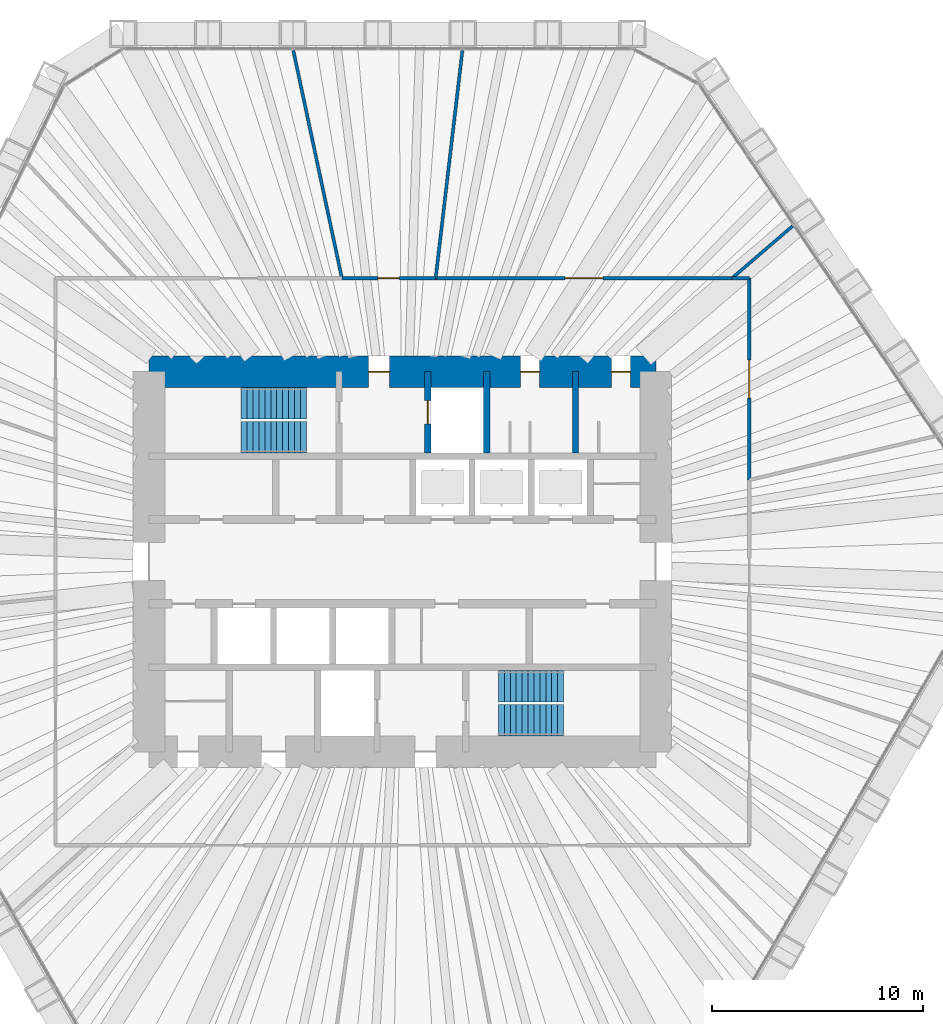
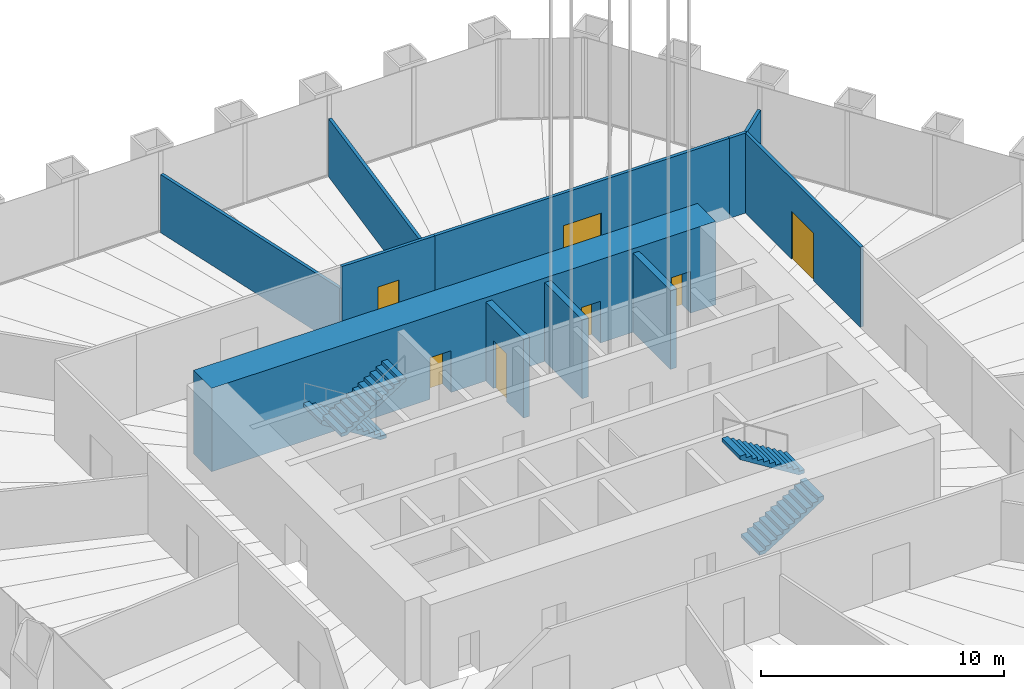
# One storey, part 12 of 20: 11 walls, 7 doors, 4 stair flights, 7 openings, 2 elements without a shape of their own.
"""IFC4 building model written with IfcOpenShell, lengths in metres."""

from ifc_helpers import new_model, si_unit, direction, frame, frame_2d, origin, place, context, subcontext, project, spatial, polyline, rectangle, outline, extrude, material, layer, layer_set, type_object, element, fill, aggregate, save


model = new_model("IFC4")

# Units and contexts
model_context = context("Model", 3, precision=1e-05, world=origin(), true_north=direction((0.0, 1.0)))
body_context = subcontext(model_context, "Body", "Model", "MODEL_VIEW")
ifc_project = project(units=[si_unit("LENGTHUNIT", "METRE"), si_unit("AREAUNIT", "SQUARE_METRE"), si_unit("VOLUMEUNIT", "CUBIC_METRE"), si_unit("PLANEANGLEUNIT", "RADIAN"), si_unit("MASSUNIT", "GRAM", prefix="KILO")], contexts=[model_context])

# Site, building, storey
site_placement = place(None, origin())
site = spatial("IfcSite", under=ifc_project, at=site_placement, CompositionType="ELEMENT")
building_placement = place(site_placement, origin())
building = spatial("IfcBuilding", under=site, at=building_placement, Name="Qingtian Harvest Tower", CompositionType="ELEMENT")
storey_placement = place(building_placement, frame((0.0, 0.0, 103.0)))
storey = spatial("IfcBuildingStorey", under=building, at=storey_placement, Name="L20", CompositionType="ELEMENT", Elevation=103.0)

# Wall, opening, door
ifc_material_1 = material(Name="Precast concrete shaft panel", Category="concrete")
ifc_layer_1 = layer(ifc_material_1, 0.300048828125)
ifc_layer_set_1 = layer_set([ifc_layer_1], Name="Core shaft partition SW1 300")
wall_type_1 = type_object("IfcWallType", Name="Core shaft partition SW1 300", PredefinedType="PARTITIONING", material=ifc_layer_set_1)
wall_1_placement = place(storey_placement, frame((1.199951171875, 5.14990234375, 0.0), z_axis=(0.0, 0.0, 1.0), x_axis=(0.0, 1.0, 0.0)))
wall_1 = element("IfcWall", 1, at=wall_1_placement, inside=storey, type_object=wall_type_1, Name="Core shaft partition XN2 L20", PredefinedType="PARTITIONING", context=body_context, shape_type="SweptSolid", body=[
    extrude(rectangle(XDim=3.85009765625, YDim=0.300048828125, at=frame_2d((1.925048828125, 0.0))), origin(), (0.0, 0.0, 1.0), 3.97998046875),
])
opening_1_placement = place(wall_1_placement, frame((1.375, 0.0, 0.0)))
opening_1 = element("IfcOpeningElement", 2, at=opening_1_placement, cuts=wall_1, Name="Opening LD1", PredefinedType="OPENING", context=body_context, shape_type="SweptSolid", body=[
    extrude(rectangle(XDim=1.10009765625, YDim=2.39990234375, at=frame_2d((0.550048828125, 1.199951171875))), frame((0.0, 0.159912109375, 0.0), z_axis=(0.0, -1.0, 0.0), x_axis=(1.0, 0.0, 0.0)), (0.0, 0.0, 1.0), 0.320068359375),
])
ifc_material_2 = material(Name="Stainless steel lift landing door", Category="steel")
door_type_1 = type_object("IfcDoorType", Name="Lift landing door LD1 1 HR", OperationType="DOUBLE_DOOR_SLIDING", PredefinedType="DOOR", material=ifc_material_2)
door_1_placement = place(opening_1_placement, origin())
door_1 = element("IfcDoor", 3, at=door_1_placement, inside=storey, type_object=door_type_1, Name="FL1 landing door L20", OperationType="DOUBLE_DOOR_SLIDING", OverallHeight=2.39990234375, OverallWidth=1.10009765625, PredefinedType="DOOR", context=body_context, shape_type="SweptSolid", body=[
    extrude(rectangle(XDim=1.10009765625, YDim=2.39990234375, at=frame_2d((0.550048828125, 1.199951171875))), frame((0.0, 0.02490234375, 0.0), z_axis=(0.0, -1.0, 0.0), x_axis=(1.0, 0.0, 0.0)), (0.0, 0.0, 1.0), 0.050048828125),
])
fill(opening_1, door_1)

# Walls
for number, where, z_axis, x_axis, name in (
    (4, (4.0, 5.14990234375, 0.0), (0.0, 0.0, 1.0), (0.0, 1.0, 0.0), "Core shaft partition XN3 L20"),
    (5, (8.199951171875, 5.14990234375, 0.0), (0.0, 0.0, 1.0), (0.0, 1.0, 0.0), "Core shaft partition XN4 L20"),
):
    element("IfcWall", number, at=place(storey_placement, frame(where, z_axis=z_axis, x_axis=x_axis)), inside=storey, type_object=wall_type_1, Name=name, PredefinedType="PARTITIONING", context=body_context, shape_type="SweptSolid", body=[
        extrude(rectangle(XDim=3.85009765625, YDim=0.300048828125, at=frame_2d((1.925048828125, 0.0))), origin(), (0.0, 0.0, 1.0), 3.97998046875),
    ])

# Wall, openings, doors
ifc_material_3 = material(Name="Concrete fc' 70 MPa", Category="concrete")
ifc_layer_2 = layer(ifc_material_3, 1.5)
ifc_layer_set_2 = layer_set([ifc_layer_2], Name="Core wall RC1 1500")
wall_type_2 = type_object("IfcWallType", Name="Core wall RC1 1500", PredefinedType="SHEAR", material=ifc_layer_set_2)
wall_2_placement = place(storey_placement, frame((-12.0, 9.0, 0.0), z_axis=(0.0, 0.0, 1.0), x_axis=(1.0, 0.0, 0.0)))
wall_2 = element("IfcWall", 6, at=wall_2_placement, inside=storey, type_object=wall_type_2, Name="Core wall CN L20", PredefinedType="SHEAR", context=body_context, shape_type="SweptSolid", body=[
    extrude(rectangle(XDim=24.0, YDim=1.5, at=frame_2d((12.0, 0.0))), origin(), (0.0, 0.0, 1.0), 4.199951171875),
])
opening_2_placement = place(wall_2_placement, frame((10.39990234375, 0.0, 0.0)))
opening_2 = element("IfcOpeningElement", 7, at=opening_2_placement, cuts=wall_2, Name="Opening FD1", PredefinedType="OPENING", context=body_context, shape_type="SweptSolid", body=[
    extrude(rectangle(XDim=1.0, YDim=2.10009765625, at=frame_2d((0.5, 1.050048828125))), frame((0.0, 0.760009765625, 0.0), z_axis=(0.0, -1.0, 0.0), x_axis=(1.0, 0.0, 0.0)), (0.0, 0.0, 1.0), 1.52001953125),
])
opening_3_placement = place(wall_2_placement, frame((17.60009765625, 0.0, 0.0)))
opening_3 = element("IfcOpeningElement", 8, at=opening_3_placement, cuts=wall_2, Name="Opening D1", PredefinedType="OPENING", context=body_context, shape_type="SweptSolid", body=[
    extrude(rectangle(XDim=0.89990234375, YDim=2.10009765625, at=frame_2d((0.449951171875, 1.050048828125))), frame((0.0, 0.760009765625, 0.0), z_axis=(0.0, -1.0, 0.0), x_axis=(1.0, 0.0, 0.0)), (0.0, 0.0, 1.0), 1.52001953125),
])
opening_4_placement = place(wall_2_placement, frame((21.89990234375, 0.0, 0.0)))
opening_4 = element("IfcOpeningElement", 9, at=opening_4_placement, cuts=wall_2, Name="Opening D1", PredefinedType="OPENING", context=body_context, shape_type="SweptSolid", body=[
    extrude(rectangle(XDim=0.89990234375, YDim=2.10009765625, at=frame_2d((0.449951171875, 1.050048828125))), frame((0.0, 0.760009765625, 0.0), z_axis=(0.0, -1.0, 0.0), x_axis=(1.0, 0.0, 0.0)), (0.0, 0.0, 1.0), 1.52001953125),
])
ifc_material_4 = material(Name="Steel-faced door leaf", Category="steel")
door_type_2 = type_object("IfcDoorType", Name="Fire door FD1 single 1 HR", OperationType="SINGLE_SWING_LEFT", PredefinedType="DOOR", material=ifc_material_4)
door_2_placement = place(opening_2_placement, origin())
door_2 = element("IfcDoor", 10, at=door_2_placement, inside=storey, type_object=door_type_2, Name="V1 door L20", OperationType="SINGLE_SWING_LEFT", OverallHeight=2.10009765625, OverallWidth=1.0, PredefinedType="DOOR", context=body_context, shape_type="SweptSolid", body=[
    extrude(rectangle(XDim=1.0, YDim=2.10009765625, at=frame_2d((0.5, 1.050048828125))), frame((0.0, 0.02490234375, 0.0), z_axis=(0.0, -1.0, 0.0), x_axis=(1.0, 0.0, 0.0)), (0.0, 0.0, 1.0), 0.050048828125),
])
fill(opening_2, door_2)
ifc_material_5 = material(Name="Laminated timber door leaf", Category="wood")
door_type_3 = type_object("IfcDoorType", Name="Toilet door D1 single", OperationType="SINGLE_SWING_LEFT", PredefinedType="DOOR", material=ifc_material_5)
door_3_placement = place(opening_3_placement, origin())
door_3 = element("IfcDoor", 11, at=door_3_placement, inside=storey, type_object=door_type_3, Name="WCM door L20", OperationType="SINGLE_SWING_RIGHT", OverallHeight=2.10009765625, OverallWidth=0.89990234375, PredefinedType="DOOR", context=body_context, shape_type="SweptSolid", body=[
    extrude(rectangle(XDim=0.89990234375, YDim=2.10009765625, at=frame_2d((0.449951171875, 1.050048828125))), frame((0.0, 0.02490234375, 0.0), z_axis=(0.0, -1.0, 0.0), x_axis=(1.0, 0.0, 0.0)), (0.0, 0.0, 1.0), 0.050048828125),
])
fill(opening_3, door_3)
door_4_placement = place(opening_4_placement, origin())
door_4 = element("IfcDoor", 12, at=door_4_placement, inside=storey, type_object=door_type_3, Name="WCF door L20", OperationType="SINGLE_SWING_RIGHT", OverallHeight=2.10009765625, OverallWidth=0.89990234375, PredefinedType="DOOR", context=body_context, shape_type="SweptSolid", body=[
    extrude(rectangle(XDim=0.89990234375, YDim=2.10009765625, at=frame_2d((0.449951171875, 1.050048828125))), frame((0.0, 0.02490234375, 0.0), z_axis=(0.0, -1.0, 0.0), x_axis=(1.0, 0.0, 0.0)), (0.0, 0.0, 1.0), 0.050048828125),
])
fill(opening_4, door_4)

# Wall
ifc_material_6 = material(Name="Gypsum board on steel studs", Category="steel")
ifc_layer_3 = layer(ifc_material_6, 0.14990234375)
ifc_layer_set_3 = layer_set([ifc_layer_3], Name="Partition PT1 150")
wall_type_3 = type_object("IfcWallType", Name="Partition PT1 150", PredefinedType="PARTITIONING", material=ifc_layer_set_3)
wall_3_placement = place(storey_placement, frame((-5.16259765625, 24.2021484375, 0.0), z_axis=(0.0, 0.0, 1.0), x_axis=(0.208613607821, -0.977998140403, 0.0)))
element("IfcWall", 13, at=wall_3_placement, inside=storey, type_object=wall_type_3, Name="Pantry wall L20", PredefinedType="PARTITIONING", context=body_context, shape_type="SweptSolid", body=[
    extrude(rectangle(XDim=11.01953125, YDim=0.14990234375, at=frame_2d((5.509765625, 0.0))), origin(), (0.0, 0.0, 1.0), 2.929931640625),
])

# Wall, opening, door
wall_4_placement = place(storey_placement, frame((-2.86376953125, 13.425048828125, 0.0), z_axis=(0.0, 0.0, 1.0), x_axis=(1.0, 0.0, 0.0)))
wall_4 = element("IfcWall", 14, at=wall_4_placement, inside=storey, type_object=wall_type_3, Name="Pantry wall L20", PredefinedType="PARTITIONING", context=body_context, shape_type="SweptSolid", body=[
    extrude(rectangle(XDim=4.44091796875, YDim=0.14990234375, at=frame_2d((2.220458984375, 0.0))), origin(), (0.0, 0.0, 1.0), 4.030029296875),
])
opening_5_placement = place(wall_4_placement, frame((1.720458984375, 0.0, 0.0)))
opening_5 = element("IfcOpeningElement", 15, at=opening_5_placement, cuts=wall_4, Name="Opening D2", PredefinedType="OPENING", context=body_context, shape_type="SweptSolid", body=[
    extrude(rectangle(XDim=1.0, YDim=2.39990234375, at=frame_2d((0.5, 1.199951171875))), frame((0.0, 0.0849609375, 0.0), z_axis=(0.0, -1.0, 0.0), x_axis=(1.0, 0.0, 0.0)), (0.0, 0.0, 1.0), 0.169921875),
])
ifc_material_7 = material(Name="Laminated timber door leaf", Category="wood")
door_type_4 = type_object("IfcDoorType", Name="Room door D2 single", OperationType="SINGLE_SWING_LEFT", PredefinedType="DOOR", material=ifc_material_7)
door_5_placement = place(opening_5_placement, origin())
door_5 = element("IfcDoor", 16, at=door_5_placement, inside=storey, type_object=door_type_4, Name="Pantry door L20", OperationType="SINGLE_SWING_LEFT", OverallHeight=2.39990234375, OverallWidth=1.0, PredefinedType="DOOR", context=body_context, shape_type="SweptSolid", body=[
    extrude(rectangle(XDim=1.0, YDim=2.39990234375, at=frame_2d((0.5, 1.199951171875))), frame((0.0, 0.02490234375, 0.0), z_axis=(0.0, -1.0, 0.0), x_axis=(1.0, 0.0, 0.0)), (0.0, 0.0, 1.0), 0.050048828125),
])
fill(opening_5, door_5)

# Wall
wall_5_placement = place(storey_placement, frame((2.843017578125, 24.20068359375, 0.0), z_axis=(0.0, 0.0, 1.0), x_axis=(-0.116672826544, -0.993170404083, 0.0)))
element("IfcWall", 17, at=wall_5_placement, inside=storey, type_object=wall_type_3, Name="Conference room wall L20", PredefinedType="PARTITIONING", context=body_context, shape_type="SweptSolid", body=[
    extrude(rectangle(XDim=10.849853515625, YDim=0.14990234375, at=frame_2d((5.4248046875, 0.0))), origin(), (0.0, 0.0, 1.0), 2.929931640625),
])

# Wall, opening, door
wall_6_placement = place(storey_placement, frame((1.5771484375, 13.425048828125, 0.0), z_axis=(0.0, 0.0, 1.0), x_axis=(1.0, 0.0, 0.0)))
wall_6 = element("IfcWall", 18, at=wall_6_placement, inside=storey, type_object=wall_type_3, Name="Conference room wall L20", PredefinedType="PARTITIONING", context=body_context, shape_type="SweptSolid", body=[
    extrude(rectangle(XDim=14.03076171875, YDim=0.14990234375, at=frame_2d((7.015380859375, 0.0))), origin(), (0.0, 0.0, 1.0), 4.030029296875),
])
opening_6_placement = place(wall_6_placement, frame((6.115478515625, 0.0, 0.0)))
opening_6 = element("IfcOpeningElement", 19, at=opening_6_placement, cuts=wall_6, Name="Opening D3", PredefinedType="OPENING", context=body_context, shape_type="SweptSolid", body=[
    extrude(rectangle(XDim=1.800048828125, YDim=2.39990234375, at=frame_2d((0.89990234375, 1.199951171875))), frame((0.0, 0.0849609375, 0.0), z_axis=(0.0, -1.0, 0.0), x_axis=(1.0, 0.0, 0.0)), (0.0, 0.0, 1.0), 0.169921875),
])
ifc_material_8 = material(Name="Laminated timber door leaf", Category="wood")
door_type_5 = type_object("IfcDoorType", Name="Room door D3 double", OperationType="DOUBLE_DOOR_DOUBLE_SWING", PredefinedType="DOOR", material=ifc_material_8)
door_6_placement = place(opening_6_placement, origin())
door_6 = element("IfcDoor", 20, at=door_6_placement, inside=storey, type_object=door_type_5, Name="Conference room door L20", OperationType="DOUBLE_DOOR_DOUBLE_SWING", OverallHeight=2.39990234375, OverallWidth=1.800048828125, PredefinedType="DOOR", context=body_context, shape_type="SweptSolid", body=[
    extrude(rectangle(XDim=1.800048828125, YDim=2.39990234375, at=frame_2d((0.89990234375, 1.199951171875))), frame((0.0, 0.02490234375, 0.0), z_axis=(0.0, -1.0, 0.0), x_axis=(1.0, 0.0, 0.0)), (0.0, 0.0, 1.0), 0.050048828125),
])
fill(opening_6, door_6)

# Walls
wall_7_placement = place(storey_placement, frame((18.4736328125, 15.8896484375, 0.0), z_axis=(0.0, 0.0, 1.0), x_axis=(-0.758174978019, -0.652051150375, 0.0)))
element("IfcWall", 21, at=wall_7_placement, inside=storey, type_object=wall_type_3, Name="Reception wall L20", PredefinedType="PARTITIONING", context=body_context, shape_type="SweptSolid", body=[
    extrude(rectangle(XDim=3.77978515625, YDim=0.14990234375, at=frame_2d((1.889892578125, 0.0))), origin(), (0.0, 0.0, 1.0), 2.929931640625),
])
wall_8_placement = place(storey_placement, frame((15.60791015625, 13.425048828125, 0.0), z_axis=(0.0, 0.0, 1.0), x_axis=(1.0, 0.0, 0.0)))
element("IfcWall", 22, at=wall_8_placement, inside=storey, type_object=wall_type_3, Name="Reception wall L20", PredefinedType="PARTITIONING", context=body_context, shape_type="SweptSolid", body=[
    extrude(rectangle(XDim=0.817138671875, YDim=0.14990234375, at=frame_2d((0.40869140625, 0.0))), origin(), (0.0, 0.0, 1.0), 4.030029296875),
])

# Wall, opening, door
wall_9_placement = place(storey_placement, frame((16.425048828125, 13.425048828125, 0.0), z_axis=(0.0, 0.0, 1.0), x_axis=(0.0, -1.0, 0.0)))
wall_9 = element("IfcWall", 23, at=wall_9_placement, inside=storey, type_object=wall_type_3, Name="Reception wall L20", PredefinedType="PARTITIONING", context=body_context, shape_type="SweptSolid", body=[
    extrude(rectangle(XDim=9.55517578125, YDim=0.14990234375, at=frame_2d((4.777587890625, 0.0))), origin(), (0.0, 0.0, 1.0), 4.030029296875),
])
opening_7_placement = place(wall_9_placement, frame((3.87744140625, 0.0, 0.0)))
opening_7 = element("IfcOpeningElement", 24, at=opening_7_placement, cuts=wall_9, Name="Opening D3", PredefinedType="OPENING", context=body_context, shape_type="SweptSolid", body=[
    extrude(rectangle(XDim=1.800048828125, YDim=2.39990234375, at=frame_2d((0.89990234375, 1.199951171875))), frame((0.0, 0.0849609375, 0.0), z_axis=(0.0, -1.0, 0.0), x_axis=(1.0, 0.0, 0.0)), (0.0, 0.0, 1.0), 0.169921875),
])
door_7_placement = place(opening_7_placement, origin())
door_7 = element("IfcDoor", 25, at=door_7_placement, inside=storey, type_object=door_type_5, Name="Reception door L20", OperationType="DOUBLE_DOOR_DOUBLE_SWING", OverallHeight=2.39990234375, OverallWidth=1.800048828125, PredefinedType="DOOR", context=body_context, shape_type="SweptSolid", body=[
    extrude(rectangle(XDim=1.800048828125, YDim=2.39990234375, at=frame_2d((0.89990234375, 1.199951171875))), frame((0.0, 0.02490234375, 0.0), z_axis=(0.0, -1.0, 0.0), x_axis=(1.0, 0.0, 0.0)), (0.0, 0.0, 1.0), 0.050048828125),
])
fill(opening_7, door_7)

# Stair, stair flights
ifc_material_9 = material(Name="Concrete fc' 35 MPa", Category="concrete")
stair_type = type_object("IfcStairType", Name="Special stair ST3 4200", PredefinedType="HALF_TURN_STAIR", material=ifc_material_9)
stair_1_placement = place(storey_placement, origin())
stair_1 = element("IfcStair", 26, at=stair_1_placement, inside=storey, type_object=stair_type, Name="Special stair S1 L20", PredefinedType="HALF_TURN_STAIR")
ifc_material_10 = material(Name="Concrete fc' 35 MPa", Category="concrete")
stair_flight_type = type_object("IfcStairFlightType", Name="Stair flight SF3 4200", PredefinedType="STRAIGHT", material=ifc_material_10)
stair_flight_1_placement = place(storey_placement, frame((-4.550048828125, 7.5, 0.0), z_axis=(0.0, 0.0, 1.0), x_axis=(-1.0, 0.0, 0.0)))
stair_flight_1 = element("IfcStairFlight", 27, at=stair_flight_1_placement, type_object=stair_flight_type, Name="S1 flight 1", NumberOfRisers=12, NumberOfTreads=11, PredefinedType="STRAIGHT", RiserHeight=0.175, TreadLength=0.28, context=body_context, shape_type="SweptSolid", body=[
    extrude(outline(polyline([(0.0, 0.0), (0.0, 0.175048828125), (0.280029296875, 0.175048828125), (0.280029296875, 0.35009765625), (0.56005859375, 0.35009765625), (0.56005859375, 0.52490234375), (0.840087890625, 0.52490234375), (0.840087890625, 0.699951171875), (1.1201171875, 0.699951171875), (1.1201171875, 0.875), (1.39990234375, 0.875), (1.39990234375, 1.050048828125), (1.679931640625, 1.050048828125), (1.679931640625, 1.22509765625), (1.9599609375, 1.22509765625), (1.9599609375, 1.39990234375), (2.239990234375, 1.39990234375), (2.239990234375, 1.574951171875), (2.52001953125, 1.574951171875), (2.52001953125, 1.75), (2.800048828125, 1.75), (2.800048828125, 1.925048828125), (3.080078125, 1.925048828125), (3.080078125, 2.10009765625), (3.080078125, 1.748291015625), (0.28271484375, 0.0), (0.0, 0.0)])), frame((0.0, 0.75, 0.0), z_axis=(0.0, -1.0, 0.0), x_axis=(1.0, 0.0, 0.0)), (0.0, 0.0, 1.0), 1.5),
])
stair_flight_2_placement = place(storey_placement, frame((-7.6298828125, 5.89990234375, 2.10009765625), z_axis=(0.0, 0.0, 1.0), x_axis=(1.0, 0.0, 0.0)))
stair_flight_2 = element("IfcStairFlight", 28, at=stair_flight_2_placement, type_object=stair_flight_type, Name="S1 flight 2", NumberOfRisers=12, NumberOfTreads=11, PredefinedType="STRAIGHT", RiserHeight=0.175, TreadLength=0.28, context=body_context, shape_type="SweptSolid", body=[
    extrude(outline(polyline([(0.0, 0.0), (0.0, 0.175048828125), (0.280029296875, 0.175048828125), (0.280029296875, 0.35009765625), (0.56005859375, 0.35009765625), (0.56005859375, 0.52490234375), (0.840087890625, 0.52490234375), (0.840087890625, 0.699951171875), (1.1201171875, 0.699951171875), (1.1201171875, 0.875), (1.39990234375, 0.875), (1.39990234375, 1.050048828125), (1.679931640625, 1.050048828125), (1.679931640625, 1.22509765625), (1.9599609375, 1.22509765625), (1.9599609375, 1.39990234375), (2.239990234375, 1.39990234375), (2.239990234375, 1.574951171875), (2.52001953125, 1.574951171875), (2.52001953125, 1.75), (2.800048828125, 1.75), (2.800048828125, 1.925048828125), (3.080078125, 1.925048828125), (3.080078125, 2.10009765625), (3.080078125, 1.748291015625), (0.28271484375, 0.0), (0.0, 0.0)])), frame((0.0, 0.75, 0.0), z_axis=(0.0, -1.0, 0.0), x_axis=(1.0, 0.0, 0.0)), (0.0, 0.0, 1.0), 1.5),
])
aggregate(stair_1, [stair_flight_1, stair_flight_2])

stair_2_placement = place(storey_placement, origin())
stair_2 = element("IfcStair", 29, at=stair_2_placement, inside=storey, type_object=stair_type, Name="Special stair S2 L20", PredefinedType="HALF_TURN_STAIR")
stair_flight_3_placement = place(storey_placement, frame((4.550048828125, -7.5, 0.0), z_axis=(0.0, 0.0, 1.0), x_axis=(1.0, 0.0, 0.0)))
stair_flight_3 = element("IfcStairFlight", 30, at=stair_flight_3_placement, type_object=stair_flight_type, Name="S2 flight 1", NumberOfRisers=12, NumberOfTreads=11, PredefinedType="STRAIGHT", RiserHeight=0.175, TreadLength=0.28, context=body_context, shape_type="SweptSolid", body=[
    extrude(outline(polyline([(0.0, 0.0), (0.0, 0.175048828125), (0.280029296875, 0.175048828125), (0.280029296875, 0.35009765625), (0.56005859375, 0.35009765625), (0.56005859375, 0.52490234375), (0.840087890625, 0.52490234375), (0.840087890625, 0.699951171875), (1.1201171875, 0.699951171875), (1.1201171875, 0.875), (1.39990234375, 0.875), (1.39990234375, 1.050048828125), (1.679931640625, 1.050048828125), (1.679931640625, 1.22509765625), (1.9599609375, 1.22509765625), (1.9599609375, 1.39990234375), (2.239990234375, 1.39990234375), (2.239990234375, 1.574951171875), (2.52001953125, 1.574951171875), (2.52001953125, 1.75), (2.800048828125, 1.75), (2.800048828125, 1.925048828125), (3.080078125, 1.925048828125), (3.080078125, 2.10009765625), (3.080078125, 1.748291015625), (0.28271484375, 0.0), (0.0, 0.0)])), frame((0.0, 0.75, 0.0), z_axis=(0.0, -1.0, 0.0), x_axis=(1.0, 0.0, 0.0)), (0.0, 0.0, 1.0), 1.5),
])
stair_flight_4_placement = place(storey_placement, frame((7.6298828125, -5.89990234375, 2.10009765625), z_axis=(0.0, 0.0, 1.0), x_axis=(-1.0, 0.0, 0.0)))
stair_flight_4 = element("IfcStairFlight", 31, at=stair_flight_4_placement, type_object=stair_flight_type, Name="S2 flight 2", NumberOfRisers=12, NumberOfTreads=11, PredefinedType="STRAIGHT", RiserHeight=0.175, TreadLength=0.28, context=body_context, shape_type="SweptSolid", body=[
    extrude(outline(polyline([(0.0, 0.0), (0.0, 0.175048828125), (0.280029296875, 0.175048828125), (0.280029296875, 0.35009765625), (0.56005859375, 0.35009765625), (0.56005859375, 0.52490234375), (0.840087890625, 0.52490234375), (0.840087890625, 0.699951171875), (1.1201171875, 0.699951171875), (1.1201171875, 0.875), (1.39990234375, 0.875), (1.39990234375, 1.050048828125), (1.679931640625, 1.050048828125), (1.679931640625, 1.22509765625), (1.9599609375, 1.22509765625), (1.9599609375, 1.39990234375), (2.239990234375, 1.39990234375), (2.239990234375, 1.574951171875), (2.52001953125, 1.574951171875), (2.52001953125, 1.75), (2.800048828125, 1.75), (2.800048828125, 1.925048828125), (3.080078125, 1.925048828125), (3.080078125, 2.10009765625), (3.080078125, 1.748291015625), (0.28271484375, 0.0), (0.0, 0.0)])), frame((0.0, 0.75, 0.0), z_axis=(0.0, -1.0, 0.0), x_axis=(1.0, 0.0, 0.0)), (0.0, 0.0, 1.0), 1.5),
])
aggregate(stair_2, [stair_flight_3, stair_flight_4])

save(model, "model.ifc")
